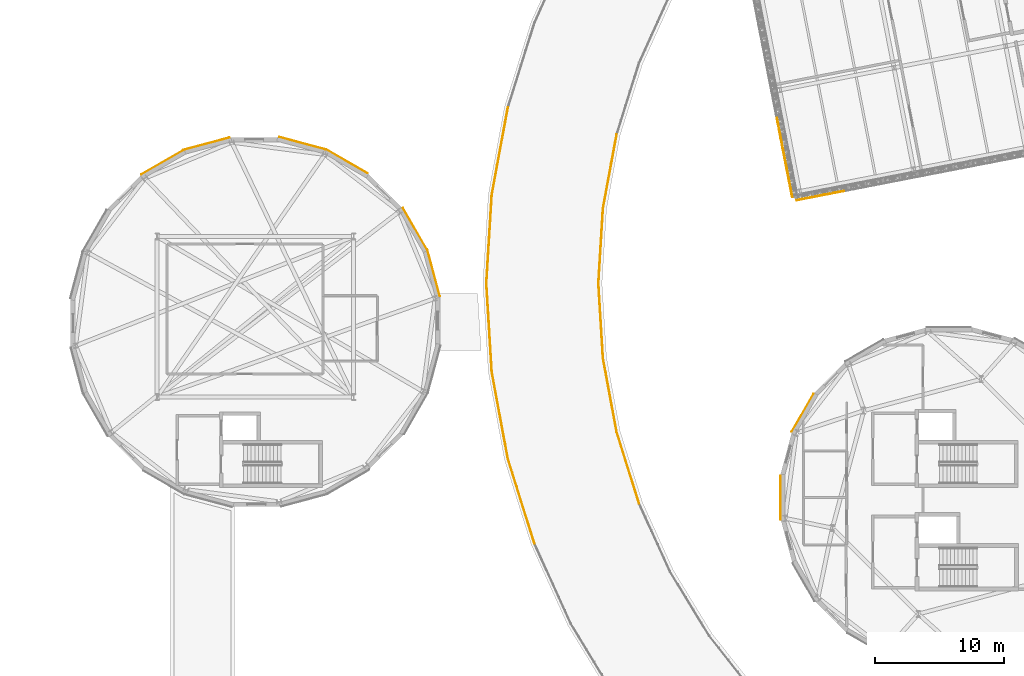
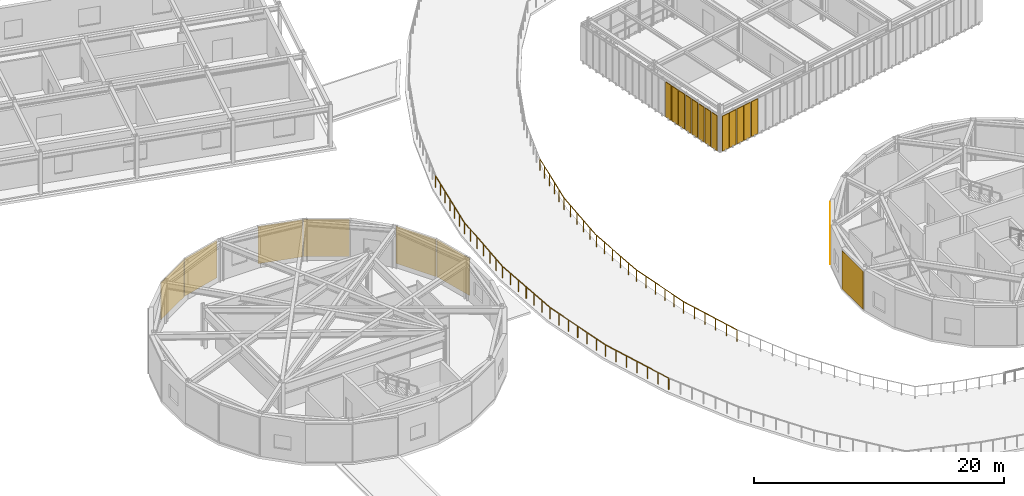
# One storey, part 47 of 59: 13 shading devices, 10 railings, 8 coverings.
"""IFC4 building model written with IfcOpenShell, lengths in metres."""

from ifc_helpers import new_model, si_unit, direction, frame, origin, origin_2d, place, context, subcontext, project, spatial, rectangle, circle, extrude, material, layer, layer_set, type_object, element, save


model = new_model("IFC4")

# Units and contexts
model_context = context("Model", 3, precision=1e-05, world=origin(), true_north=direction((0.0, 1.0)))
body_context = subcontext(model_context, "Body", "Model", "MODEL_VIEW")
ifc_project = project(units=[si_unit("LENGTHUNIT", "METRE"), si_unit("AREAUNIT", "SQUARE_METRE"), si_unit("VOLUMEUNIT", "CUBIC_METRE"), si_unit("PLANEANGLEUNIT", "RADIAN"), si_unit("MASSUNIT", "GRAM", prefix="KILO")], contexts=[model_context])

# Site, building, storey
site_placement = place(None, origin())
site = spatial("IfcSite", under=ifc_project, at=site_placement, CompositionType="ELEMENT")
building_placement = place(site_placement, origin())
building = spatial("IfcBuilding", under=site, at=building_placement, Name="Varnklinge Art Gallery", CompositionType="ELEMENT")
storey_placement = place(building_placement, frame((0.0, 0.0, 9.52001953125)))
storey = spatial("IfcBuildingStorey", under=building, at=storey_placement, Name="L02", CompositionType="ELEMENT", Elevation=9.52001953125)

# Coverings
ifc_material_1 = material(Name="Oxide Terracotta Panel", Category="masonry")
ifc_layer_1 = layer(ifc_material_1, 0.034912109375)
ifc_layer_set_1 = layer_set([ifc_layer_1], Name="Oxide Terracotta Panel")
covering_type_1 = type_object("IfcCoveringType", Name="CLD-TER", PredefinedType="CLADDING", material=ifc_layer_set_1)
for number, where, z_axis, x_axis, name in (
    (1, (14.579345703125, 64.3369140625, 0.14990234375), (0.0, 0.0, 1.0), (0.866025403784, 0.5, 0.0), "L02 Oxide Terracotta Drum Cladding EW-V3-L02-17"),
    (2, (18.018310546875, 65.785400390625, 0.14990234375), (0.0, 0.0, 1.0), (0.965925826289, 0.258819045103, 0.0), "L02 Oxide Terracotta Drum Cladding EW-V3-L02-18"),
    (3, (25.41748046875, 65.829345703125, 0.14990234375), (0.0, 0.0, 1.0), (0.965925826289, -0.258819045103, 0.0), "L02 Oxide Terracotta Drum Cladding EW-V3-L02-20"),
    (4, (28.87353515625, 64.421875, 0.14990234375), (0.0, 0.0, 1.0), (0.866025403784, -0.5, 0.0), "L02 Oxide Terracotta Drum Cladding EW-V3-L02-21"),
    (5, (34.13671875, 59.220703125, 0.14990234375), (0.0, 0.0, 1.0), (0.5, -0.866025403784, 0.0), "L02 Oxide Terracotta Drum Cladding EW-V3-L02-23"),
    (6, (35.585205078125, 55.78173828125, 0.14990234375), (0.0, 0.0, 1.0), (0.258819045103, -0.965925826289, 0.0), "L02 Oxide Terracotta Drum Cladding EW-V3-L02-24"),
):
    element("IfcCovering", number, at=place(storey_placement, frame(where, z_axis=z_axis, x_axis=x_axis)), inside=storey, type_object=covering_type_1, Name=name, PredefinedType="CLADDING", context=body_context, shape_type="SweptSolid", body=[
        extrude(rectangle(XDim=3.684326171875, YDim=0.034912109375, at=origin_2d()), origin(), (0.0, 0.0, 1.0), 3.639892578125),
    ])
ifc_material_2 = material(Name="Pre-weathered Zinc", Category="metal")
ifc_layer_2 = layer(ifc_material_2, 0.02490234375)
ifc_layer_set_2 = layer_set([ifc_layer_2], Name="Pre-weathered Zinc")
covering_type_2 = type_object("IfcCoveringType", Name="CLD-ZNC", PredefinedType="CLADDING", material=ifc_layer_set_2)
for number, where, z_axis, x_axis, name in (
    (7, (62.400390625, 38.4150390625, 0.0458984375), (0.0, 0.0, 1.0), (0.0, 1.0, 0.0), "L02 Brushed Zinc Drum Cladding EW-V4D-L02-12"),
    (8, (64.11279296875, 44.976318359375, 0.0458984375), (0.0, 0.0, 1.0), (0.5, 0.866025403784, 0.0), "L02 Brushed Zinc Drum Cladding EW-V4D-L02-14"),
):
    element("IfcCovering", number, at=place(storey_placement, frame(where, z_axis=z_axis, x_axis=x_axis)), inside=storey, type_object=covering_type_2, Name=name, PredefinedType="CLADDING", context=body_context, shape_type="SweptSolid", body=[
        extrude(rectangle(XDim=3.39111328125, YDim=0.02490234375, at=origin_2d()), origin(), (0.0, 0.0, 1.0), 3.7099609375),
    ])

# Railings
ifc_material_3 = material(Name="Steel S355", Category="steel")
railing_type = type_object("IfcRailingType", Name="GR-EXT", PredefinedType="GUARDRAIL", material=ifc_material_3)
railing_1_placement = place(storey_placement, frame((41.330078125, 68.58349609375, 0.0)))
element("IfcRailing", 9, at=railing_1_placement, inside=storey, type_object=railing_type, Name="L02 Roof Sculpture Garden Guardrail O25.1", PredefinedType="GUARDRAIL", context=body_context, shape_type="SweptSolid", body=[
    extrude(circle(Radius=0.02392578125, at=origin_2d()), frame((0.0, 0.0, 1.1259765625), z_axis=(-0.181595695467, -0.983373277747, 0.0), x_axis=(0.983373277747, -0.181595695467, 0.0)), (0.0, 0.0, 1.0), 6.855224609375),
    extrude(circle(Radius=0.02099609375, at=origin_2d()), origin(), (0.0, 0.0, 1.0), 1.101806640625),
    extrude(circle(Radius=0.02099609375, at=origin_2d()), frame((-0.20751953125, -1.12353515625, 0.0)), (0.0, 0.0, 1.0), 1.101806640625),
    extrude(circle(Radius=0.02099609375, at=origin_2d()), frame((-0.4150390625, -2.2470703125, 0.0)), (0.0, 0.0, 1.0), 1.101806640625),
    extrude(circle(Radius=0.02099609375, at=origin_2d()), frame((-0.62255859375, -3.37060546875, 0.0)), (0.0, 0.0, 1.0), 1.101806640625),
    extrude(circle(Radius=0.02099609375, at=origin_2d()), frame((-0.829833984375, -4.494140625, 0.0)), (0.0, 0.0, 1.0), 1.101806640625),
    extrude(circle(Radius=0.02099609375, at=origin_2d()), frame((-1.037353515625, -5.61767578125, 0.0)), (0.0, 0.0, 1.0), 1.101806640625),
    extrude(circle(Radius=0.02099609375, at=origin_2d()), frame((-1.244873046875, -6.7412109375, 0.0)), (0.0, 0.0, 1.0), 1.101806640625),
])
railing_2_placement = place(storey_placement, frame((49.738525390625, 66.494384765625, 0.0)))
element("IfcRailing", 10, at=railing_2_placement, inside=storey, type_object=railing_type, Name="L02 Roof Sculpture Garden Guardrail I25.1", PredefinedType="GUARDRAIL", context=body_context, shape_type="SweptSolid", body=[
    extrude(circle(Radius=0.02392578125, at=origin_2d()), frame((0.0, 0.0, 1.1259765625), z_axis=(-0.181647662815, -0.983363679721, 0.0), x_axis=(0.983363679721, -0.181647662815, 0.0)), (0.0, 0.0, 1.0), 5.80078125),
    extrude(circle(Radius=0.02099609375, at=origin_2d()), origin(), (0.0, 0.0, 1.0), 1.101806640625),
    extrude(circle(Radius=0.02099609375, at=origin_2d()), frame((-0.210693359375, -1.140869140625, 0.0)), (0.0, 0.0, 1.0), 1.101806640625),
    extrude(circle(Radius=0.02099609375, at=origin_2d()), frame((-0.42138671875, -2.28173828125, 0.0)), (0.0, 0.0, 1.0), 1.101806640625),
    extrude(circle(Radius=0.02099609375, at=origin_2d()), frame((-0.63232421875, -3.422607421875, 0.0)), (0.0, 0.0, 1.0), 1.101806640625),
    extrude(circle(Radius=0.02099609375, at=origin_2d()), frame((-0.843017578125, -4.5634765625, 0.0)), (0.0, 0.0, 1.0), 1.101806640625),
    extrude(circle(Radius=0.02099609375, at=origin_2d()), frame((-1.0537109375, -5.704345703125, 0.0)), (0.0, 0.0, 1.0), 1.101806640625),
])
railing_3_placement = place(storey_placement, frame((40.085205078125, 61.84228515625, 0.0)))
element("IfcRailing", 11, at=railing_3_placement, inside=storey, type_object=railing_type, Name="L02 Roof Sculpture Garden Guardrail O26.1", PredefinedType="GUARDRAIL", context=body_context, shape_type="SweptSolid", body=[
    extrude(circle(Radius=0.02392578125, at=origin_2d()), frame((0.0, 0.0, 1.1259765625), z_axis=(-0.060866032213, -0.9981459443, 0.0), x_axis=(0.9981459443, -0.060866032213, 0.0)), (0.0, 0.0, 1.0), 6.85498046875),
    extrude(circle(Radius=0.02099609375, at=origin_2d()), origin(), (0.0, 0.0, 1.0), 1.101806640625),
    extrude(circle(Radius=0.02099609375, at=origin_2d()), frame((-0.069580078125, -1.140380859375, 0.0)), (0.0, 0.0, 1.0), 1.101806640625),
    extrude(circle(Radius=0.02099609375, at=origin_2d()), frame((-0.13916015625, -2.28076171875, 0.0)), (0.0, 0.0, 1.0), 1.101806640625),
    extrude(circle(Radius=0.02099609375, at=origin_2d()), frame((-0.20849609375, -3.421142578125, 0.0)), (0.0, 0.0, 1.0), 1.101806640625),
    extrude(circle(Radius=0.02099609375, at=origin_2d()), frame((-0.278076171875, -4.5615234375, 0.0)), (0.0, 0.0, 1.0), 1.101806640625),
    extrude(circle(Radius=0.02099609375, at=origin_2d()), frame((-0.34765625, -5.701904296875, 0.0)), (0.0, 0.0, 1.0), 1.101806640625),
    extrude(circle(Radius=0.02099609375, at=origin_2d()), frame((-0.417236328125, -6.84228515625, 0.0)), (0.0, 0.0, 1.0), 1.101806640625),
])
railing_4_placement = place(storey_placement, frame((48.684814453125, 60.7900390625, 0.0)))
element("IfcRailing", 12, at=railing_4_placement, inside=storey, type_object=railing_type, Name="L02 Roof Sculpture Garden Guardrail I26.1", PredefinedType="GUARDRAIL", context=body_context, shape_type="SweptSolid", body=[
    extrude(circle(Radius=0.02392578125, at=origin_2d()), frame((0.0, 0.0, 1.1259765625), z_axis=(-0.060816547818, -0.998148960582, 0.0), x_axis=(0.998148960582, -0.060816547818, 0.0)), (0.0, 0.0, 1.0), 5.80078125),
    extrude(circle(Radius=0.02099609375, at=origin_2d()), origin(), (0.0, 0.0, 1.0), 1.101806640625),
    extrude(circle(Radius=0.02099609375, at=origin_2d()), frame((-0.070556640625, -1.157958984375, 0.0)), (0.0, 0.0, 1.0), 1.101806640625),
    extrude(circle(Radius=0.02099609375, at=origin_2d()), frame((-0.14111328125, -2.31591796875, 0.0)), (0.0, 0.0, 1.0), 1.101806640625),
    extrude(circle(Radius=0.02099609375, at=origin_2d()), frame((-0.211669921875, -3.47412109375, 0.0)), (0.0, 0.0, 1.0), 1.101806640625),
    extrude(circle(Radius=0.02099609375, at=origin_2d()), frame((-0.2822265625, -4.632080078125, 0.0)), (0.0, 0.0, 1.0), 1.101806640625),
    extrude(circle(Radius=0.02099609375, at=origin_2d()), frame((-0.352783203125, -5.7900390625, 0.0)), (0.0, 0.0, 1.0), 1.101806640625),
])
railing_5_placement = place(storey_placement, frame((39.66796875, 55.0, 0.0)))
element("IfcRailing", 13, at=railing_5_placement, inside=storey, type_object=railing_type, Name="L02 Roof Sculpture Garden Guardrail O27.1", PredefinedType="GUARDRAIL", context=body_context, shape_type="SweptSolid", body=[
    extrude(circle(Radius=0.02392578125, at=origin_2d()), frame((0.0, 0.0, 1.1259765625), z_axis=(0.060866032213, -0.9981459443, 0.0), x_axis=(0.9981459443, 0.060866032213, 0.0)), (0.0, 0.0, 1.0), 6.85498046875),
    extrude(circle(Radius=0.02099609375, at=origin_2d()), origin(), (0.0, 0.0, 1.0), 1.101806640625),
    extrude(circle(Radius=0.02099609375, at=origin_2d()), frame((0.069580078125, -1.140380859375, 0.0)), (0.0, 0.0, 1.0), 1.101806640625),
    extrude(circle(Radius=0.02099609375, at=origin_2d()), frame((0.13916015625, -2.28076171875, 0.0)), (0.0, 0.0, 1.0), 1.101806640625),
    extrude(circle(Radius=0.02099609375, at=origin_2d()), frame((0.20849609375, -3.421142578125, 0.0)), (0.0, 0.0, 1.0), 1.101806640625),
    extrude(circle(Radius=0.02099609375, at=origin_2d()), frame((0.278076171875, -4.5615234375, 0.0)), (0.0, 0.0, 1.0), 1.101806640625),
    extrude(circle(Radius=0.02099609375, at=origin_2d()), frame((0.34765625, -5.701904296875, 0.0)), (0.0, 0.0, 1.0), 1.101806640625),
    extrude(circle(Radius=0.02099609375, at=origin_2d()), frame((0.417236328125, -6.84228515625, 0.0)), (0.0, 0.0, 1.0), 1.101806640625),
])
railing_6_placement = place(storey_placement, frame((48.33203125, 55.0, 0.0)))
element("IfcRailing", 14, at=railing_6_placement, inside=storey, type_object=railing_type, Name="L02 Roof Sculpture Garden Guardrail I27.1", PredefinedType="GUARDRAIL", context=body_context, shape_type="SweptSolid", body=[
    extrude(circle(Radius=0.02392578125, at=origin_2d()), frame((0.0, 0.0, 1.1259765625), z_axis=(0.060816547818, -0.998148960582, 0.0), x_axis=(0.998148960582, 0.060816547818, 0.0)), (0.0, 0.0, 1.0), 5.80078125),
    extrude(circle(Radius=0.02099609375, at=origin_2d()), origin(), (0.0, 0.0, 1.0), 1.101806640625),
    extrude(circle(Radius=0.02099609375, at=origin_2d()), frame((0.070556640625, -1.157958984375, 0.0)), (0.0, 0.0, 1.0), 1.101806640625),
    extrude(circle(Radius=0.02099609375, at=origin_2d()), frame((0.14111328125, -2.31591796875, 0.0)), (0.0, 0.0, 1.0), 1.101806640625),
    extrude(circle(Radius=0.02099609375, at=origin_2d()), frame((0.211669921875, -3.47412109375, 0.0)), (0.0, 0.0, 1.0), 1.101806640625),
    extrude(circle(Radius=0.02099609375, at=origin_2d()), frame((0.2822265625, -4.632080078125, 0.0)), (0.0, 0.0, 1.0), 1.101806640625),
    extrude(circle(Radius=0.02099609375, at=origin_2d()), frame((0.352783203125, -5.7900390625, 0.0)), (0.0, 0.0, 1.0), 1.101806640625),
])
railing_7_placement = place(storey_placement, frame((40.085205078125, 48.15771484375, 0.0)))
element("IfcRailing", 15, at=railing_7_placement, inside=storey, type_object=railing_type, Name="L02 Roof Sculpture Garden Guardrail O28.1", PredefinedType="GUARDRAIL", context=body_context, shape_type="SweptSolid", body=[
    extrude(circle(Radius=0.02392578125, at=origin_2d()), frame((0.0, 0.0, 1.1259765625), z_axis=(0.181595695467, -0.983373277747, 0.0), x_axis=(0.983373277747, 0.181595695467, 0.0)), (0.0, 0.0, 1.0), 6.855224609375),
    extrude(circle(Radius=0.02099609375, at=origin_2d()), origin(), (0.0, 0.0, 1.0), 1.101806640625),
    extrude(circle(Radius=0.02099609375, at=origin_2d()), frame((0.20751953125, -1.12353515625, 0.0)), (0.0, 0.0, 1.0), 1.101806640625),
    extrude(circle(Radius=0.02099609375, at=origin_2d()), frame((0.4150390625, -2.2470703125, 0.0)), (0.0, 0.0, 1.0), 1.101806640625),
    extrude(circle(Radius=0.02099609375, at=origin_2d()), frame((0.62255859375, -3.37060546875, 0.0)), (0.0, 0.0, 1.0), 1.101806640625),
    extrude(circle(Radius=0.02099609375, at=origin_2d()), frame((0.829833984375, -4.494140625, 0.0)), (0.0, 0.0, 1.0), 1.101806640625),
    extrude(circle(Radius=0.02099609375, at=origin_2d()), frame((1.037353515625, -5.61767578125, 0.0)), (0.0, 0.0, 1.0), 1.101806640625),
    extrude(circle(Radius=0.02099609375, at=origin_2d()), frame((1.244873046875, -6.7412109375, 0.0)), (0.0, 0.0, 1.0), 1.101806640625),
])
railing_8_placement = place(storey_placement, frame((48.684814453125, 49.2099609375, 0.0)))
element("IfcRailing", 16, at=railing_8_placement, inside=storey, type_object=railing_type, Name="L02 Roof Sculpture Garden Guardrail I28.1", PredefinedType="GUARDRAIL", context=body_context, shape_type="SweptSolid", body=[
    extrude(circle(Radius=0.02392578125, at=origin_2d()), frame((0.0, 0.0, 1.1259765625), z_axis=(0.181647662815, -0.983363679721, 0.0), x_axis=(0.983363679721, 0.181647662815, 0.0)), (0.0, 0.0, 1.0), 5.80078125),
    extrude(circle(Radius=0.02099609375, at=origin_2d()), origin(), (0.0, 0.0, 1.0), 1.101806640625),
    extrude(circle(Radius=0.02099609375, at=origin_2d()), frame((0.210693359375, -1.140869140625, 0.0)), (0.0, 0.0, 1.0), 1.101806640625),
    extrude(circle(Radius=0.02099609375, at=origin_2d()), frame((0.42138671875, -2.28173828125, 0.0)), (0.0, 0.0, 1.0), 1.101806640625),
    extrude(circle(Radius=0.02099609375, at=origin_2d()), frame((0.63232421875, -3.422607421875, 0.0)), (0.0, 0.0, 1.0), 1.101806640625),
    extrude(circle(Radius=0.02099609375, at=origin_2d()), frame((0.843017578125, -4.5634765625, 0.0)), (0.0, 0.0, 1.0), 1.101806640625),
    extrude(circle(Radius=0.02099609375, at=origin_2d()), frame((1.0537109375, -5.704345703125, 0.0)), (0.0, 0.0, 1.0), 1.101806640625),
])
railing_9_placement = place(storey_placement, frame((41.330078125, 41.41650390625, 0.0)))
element("IfcRailing", 17, at=railing_9_placement, inside=storey, type_object=railing_type, Name="L02 Roof Sculpture Garden Guardrail O29.1", PredefinedType="GUARDRAIL", context=body_context, shape_type="SweptSolid", body=[
    extrude(circle(Radius=0.02392578125, at=origin_2d()), frame((0.0, 0.0, 1.1259765625), z_axis=(0.299769178691, -0.954011760675, 0.0), x_axis=(0.954011760675, 0.299769178691, 0.0)), (0.0, 0.0, 1.0), 6.85498046875),
    extrude(circle(Radius=0.02099609375, at=origin_2d()), origin(), (0.0, 0.0, 1.0), 1.101806640625),
    extrude(circle(Radius=0.02099609375, at=origin_2d()), frame((0.342529296875, -1.08984375, 0.0)), (0.0, 0.0, 1.0), 1.101806640625),
    extrude(circle(Radius=0.02099609375, at=origin_2d()), frame((0.68505859375, -2.179931640625, 0.0)), (0.0, 0.0, 1.0), 1.101806640625),
    extrude(circle(Radius=0.02099609375, at=origin_2d()), frame((1.02734375, -3.27001953125, 0.0)), (0.0, 0.0, 1.0), 1.101806640625),
    extrude(circle(Radius=0.02099609375, at=origin_2d()), frame((1.369873046875, -4.35986328125, 0.0)), (0.0, 0.0, 1.0), 1.101806640625),
    extrude(circle(Radius=0.02099609375, at=origin_2d()), frame((1.71240234375, -5.44970703125, 0.0)), (0.0, 0.0, 1.0), 1.101806640625),
    extrude(circle(Radius=0.02099609375, at=origin_2d()), frame((2.054931640625, -6.539794921875, 0.0)), (0.0, 0.0, 1.0), 1.101806640625),
])
railing_10_placement = place(storey_placement, frame((49.738525390625, 43.505615234375, 0.0)))
element("IfcRailing", 18, at=railing_10_placement, inside=storey, type_object=railing_type, Name="L02 Roof Sculpture Garden Guardrail I29.1", PredefinedType="GUARDRAIL", context=body_context, shape_type="SweptSolid", body=[
    extrude(circle(Radius=0.02392578125, at=origin_2d()), frame((0.0, 0.0, 1.1259765625), z_axis=(0.299753269559, -0.954016759491, 0.0), x_axis=(0.954016759491, 0.299753269559, 0.0)), (0.0, 0.0, 1.0), 5.80078125),
    extrude(circle(Radius=0.02099609375, at=origin_2d()), origin(), (0.0, 0.0, 1.0), 1.101806640625),
    extrude(circle(Radius=0.02099609375, at=origin_2d()), frame((0.34765625, -1.106689453125, 0.0)), (0.0, 0.0, 1.0), 1.101806640625),
    extrude(circle(Radius=0.02099609375, at=origin_2d()), frame((0.695556640625, -2.213623046875, 0.0)), (0.0, 0.0, 1.0), 1.101806640625),
    extrude(circle(Radius=0.02099609375, at=origin_2d()), frame((1.043212890625, -3.3203125, 0.0)), (0.0, 0.0, 1.0), 1.101806640625),
    extrude(circle(Radius=0.02099609375, at=origin_2d()), frame((1.39111328125, -4.42724609375, 0.0)), (0.0, 0.0, 1.0), 1.101806640625),
    extrude(circle(Radius=0.02099609375, at=origin_2d()), frame((1.73876953125, -5.533935546875, 0.0)), (0.0, 0.0, 1.0), 1.101806640625),
])

# Shading devices
ifc_material_4 = material(Name="Perforated Aluminium-Precast Lattice", Category="concrete")
ifc_layer_3 = layer(ifc_material_4, 0.06005859375)
ifc_layer_set_3 = layer_set([ifc_layer_3], Name="Perforated Aluminium-Precast Lattice")
shading_device_type = type_object("IfcShadingDeviceType", Name="SHD-LAT", PredefinedType="USERDEFINED", material=ifc_layer_set_3)
for number, where, z_axis, x_axis, name in (
    (19, (63.974609375, 61.478515625, 0.10009765625), (0.0, 0.0, 1.0), (0.981627183448, 0.190808995377, 0.0), "L02 Perforated Lattice Screen 1.1.1"),
    (20, (64.727294921875, 61.624755859375, 0.10009765625), (0.0, 0.0, 1.0), (0.981627183448, 0.190808995377, 0.0), "L02 Perforated Lattice Screen 1.1.2"),
    (21, (65.479736328125, 61.77099609375, 0.10009765625), (0.0, 0.0, 1.0), (0.981627183448, 0.190808995377, 0.0), "L02 Perforated Lattice Screen 1.1.3"),
    (22, (66.232421875, 61.917236328125, 0.10009765625), (0.0, 0.0, 1.0), (0.981627183448, 0.190808995377, 0.0), "L02 Perforated Lattice Screen 1.1.4"),
    (23, (66.98486328125, 62.0634765625, 0.10009765625), (0.0, 0.0, 1.0), (0.981627183448, 0.190808995377, 0.0), "L02 Perforated Lattice Screen 1.1.5"),
    (24, (62.195556640625, 67.468994140625, 0.10009765625), (0.0, 0.0, 1.0), (0.190808995377, -0.981627183448, 0.0), "L02 Perforated Lattice Screen 4.2.7"),
    (25, (62.34814453125, 66.68359375, 0.10009765625), (0.0, 0.0, 1.0), (0.190808995377, -0.981627183448, 0.0), "L02 Perforated Lattice Screen 4.3.1"),
    (26, (62.500732421875, 65.8984375, 0.10009765625), (0.0, 0.0, 1.0), (0.190808995377, -0.981627183448, 0.0), "L02 Perforated Lattice Screen 4.3.2"),
    (27, (62.6533203125, 65.113037109375, 0.10009765625), (0.0, 0.0, 1.0), (0.190808995377, -0.981627183448, 0.0), "L02 Perforated Lattice Screen 4.3.3"),
    (28, (62.80615234375, 64.327880859375, 0.10009765625), (0.0, 0.0, 1.0), (0.190808995377, -0.981627183448, 0.0), "L02 Perforated Lattice Screen 4.3.4"),
    (29, (62.958740234375, 63.54248046875, 0.10009765625), (0.0, 0.0, 1.0), (0.190808995377, -0.981627183448, 0.0), "L02 Perforated Lattice Screen 4.3.5"),
    (30, (63.111328125, 62.757080078125, 0.10009765625), (0.0, 0.0, 1.0), (0.190808995377, -0.981627183448, 0.0), "L02 Perforated Lattice Screen 4.3.6"),
    (31, (63.263916015625, 61.971923828125, 0.10009765625), (0.0, 0.0, 1.0), (0.190808995377, -0.981627183448, 0.0), "L02 Perforated Lattice Screen 4.3.7"),
):
    element("IfcShadingDevice", number, at=place(storey_placement, frame(where, z_axis=z_axis, x_axis=x_axis)), inside=storey, type_object=shading_device_type, Name=name, ObjectType="LATTICE SCREEN", PredefinedType="USERDEFINED", context=body_context, shape_type="SweptSolid", body=[
        extrude(rectangle(XDim=0.679931640625, YDim=0.06005859375, at=origin_2d()), origin(), (0.0, 0.0, 1.0), 3.409912109375),
    ])

save(model, "model.ifc")
